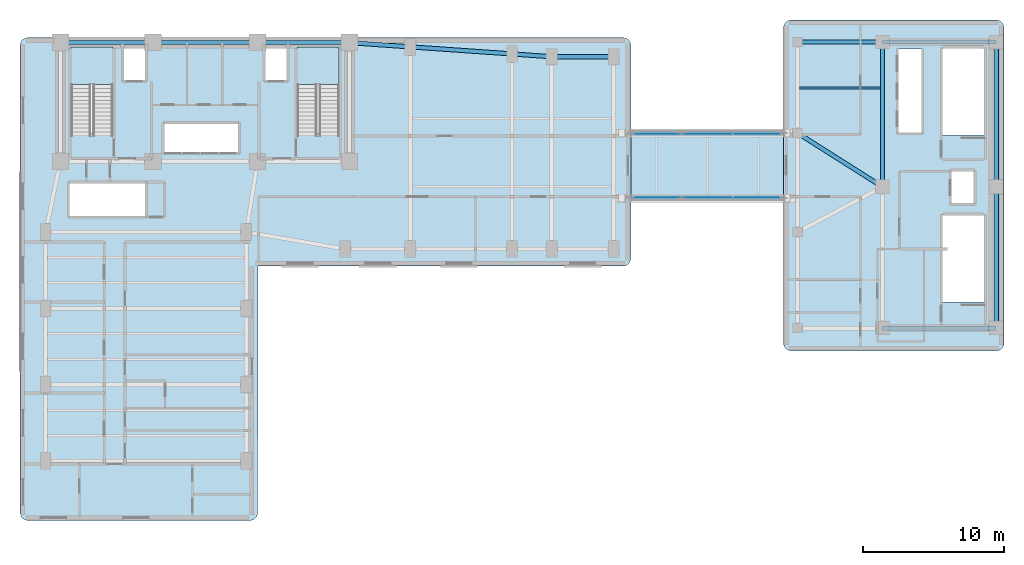
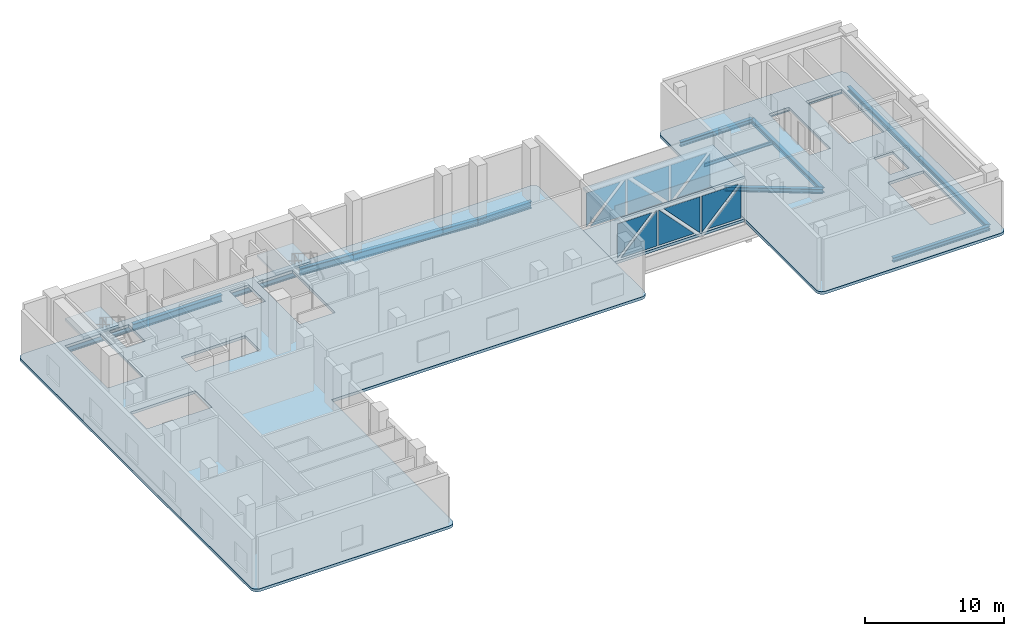
# One storey, part 9 of 17: 15 beams, 12 plates, 6 slabs, 10 elements without a shape of their own.
"""IFC4 building model written with IfcOpenShell, lengths in metres."""

from ifc_helpers import new_model, si_unit, direction, frame, origin, origin_2d, place, context, subcontext, project, spatial, polyline, i_section, outline, extrude, material, layer, layer_set, material_profile, profile_set, type_object, element, aggregate, save


model = new_model("IFC4")

# Units and contexts
model_context = context("Model", 3, precision=1e-05, world=origin(), true_north=direction((0.0, 1.0)))
body_context = subcontext(model_context, "Body", "Model", "MODEL_VIEW")
ifc_project = project(units=[si_unit("LENGTHUNIT", "METRE"), si_unit("AREAUNIT", "SQUARE_METRE"), si_unit("VOLUMEUNIT", "CUBIC_METRE"), si_unit("PLANEANGLEUNIT", "RADIAN"), si_unit("MASSUNIT", "GRAM", prefix="KILO")], contexts=[model_context])

# Site, building, storey
site_placement = place(None, origin())
site = spatial("IfcSite", under=ifc_project, at=site_placement, CompositionType="ELEMENT")
building_placement = place(site_placement, origin())
building = spatial("IfcBuilding", under=site, at=building_placement, Name="Kuzgunbayir Cultural Tower", CompositionType="ELEMENT")
storey_placement = place(building_placement, frame((0.0, 0.0, 102.60009765625)))
storey = spatial("IfcBuildingStorey", under=building, at=storey_placement, Name="L29", CompositionType="ELEMENT", Elevation=102.60009765625)

# Beams
ifc_material_1 = material(Name="Steel S355J2", Category="steel")
ifc_material_profile_1 = material_profile(ifc_material_1, i_section(OverallWidth=0.300048828125, OverallDepth=0.60009765625, WebThickness=0.015380859375, FlangeThickness=0.030029296875, FilletRadius=0.027099609375, at=origin_2d()), Name="HEB 600")
ifc_profile_set_1 = profile_set([ifc_material_profile_1], Name="Steel S355J2")
beam_type_1 = type_object("IfcBeamType", Name="BM-EXT-HEB600", PredefinedType="BEAM", material=ifc_profile_set_1)
beam_1_placement = place(storey_placement, frame((26.89990234375, 42.199951171875, -0.5400390625), z_axis=(0.997574369175, -0.069608749203, 0.0), x_axis=(0.069608749203, 0.997574369175, 0.0)))
element("IfcBeam", 1, at=beam_1_placement, inside=storey, type_object=beam_type_1, Name="L29 Wing B North Girder 1", PredefinedType="BEAM", context=body_context, shape_type="SweptSolid", body=[
    extrude(i_section(OverallWidth=0.300048828125, OverallDepth=0.60009765625, WebThickness=0.015380859375, FlangeThickness=0.030029296875, FilletRadius=0.027099609375, at=origin_2d()), origin(), (0.0, 0.0, 1.0), 4.310546875),
])
beam_2_placement = place(storey_placement, frame((31.199951171875, 41.89990234375, -0.5400390625), z_axis=(0.997597388498, -0.069278066245, 0.0), x_axis=(0.069278066245, 0.997597388498, 0.0)))
element("IfcBeam", 2, at=beam_2_placement, inside=storey, type_object=beam_type_1, Name="L29 Wing B North Girder 2", PredefinedType="BEAM", context=body_context, shape_type="SweptSolid", body=[
    extrude(i_section(OverallWidth=0.300048828125, OverallDepth=0.60009765625, WebThickness=0.015380859375, FlangeThickness=0.030029296875, FilletRadius=0.027099609375, at=origin_2d()), origin(), (0.0, 0.0, 1.0), 7.21728515625),
])
beam_3_placement = place(storey_placement, frame((38.39990234375, 41.39990234375, -0.5400390625), z_axis=(0.997460024076, -0.071228508128, 0.0), x_axis=(0.071228508128, 0.997460024076, 0.0)))
element("IfcBeam", 3, at=beam_3_placement, inside=storey, type_object=beam_type_1, Name="L29 Wing B North Girder 3", PredefinedType="BEAM", context=body_context, shape_type="SweptSolid", body=[
    extrude(i_section(OverallWidth=0.300048828125, OverallDepth=0.60009765625, WebThickness=0.015380859375, FlangeThickness=0.030029296875, FilletRadius=0.027099609375, at=origin_2d()), origin(), (0.0, 0.0, 1.0), 2.80712890625),
])
beam_4_placement = place(storey_placement, frame((41.199951171875, 41.199951171875, -0.5400390625), z_axis=(1.0, 0.0, 0.0), x_axis=(0.0, 1.0, 0.0)))
element("IfcBeam", 4, at=beam_4_placement, inside=storey, type_object=beam_type_1, Name="L29 Wing B North Girder 4", PredefinedType="BEAM", context=body_context, shape_type="SweptSolid", body=[
    extrude(i_section(OverallWidth=0.300048828125, OverallDepth=0.60009765625, WebThickness=0.015380859375, FlangeThickness=0.030029296875, FilletRadius=0.027099609375, at=origin_2d()), origin(), (0.0, 0.0, 1.0), 4.400146484375),
])
ifc_material_profile_2 = material_profile(ifc_material_1, i_section(OverallWidth=0.300048828125, OverallDepth=0.39990234375, WebThickness=0.013427734375, FlangeThickness=0.02392578125, FilletRadius=0.027099609375, at=origin_2d()), Name="HEB 400")
ifc_profile_set_2 = profile_set([ifc_material_profile_2], Name="Steel S355J2")
beam_type_2 = type_object("IfcBeamType", Name="BM-GIR-HEB400", PredefinedType="BEAM", material=ifc_profile_set_2)
beam_5_placement = place(storey_placement, frame((58.60009765625, 35.800048828125, -0.440185546875), z_axis=(0.844815967829, -0.535056988088, 0.0), x_axis=(0.535056988088, 0.844815967829, 0.0)))
element("IfcBeam", 5, at=beam_5_placement, inside=storey, type_object=beam_type_2, Name="L29 Companion Transverse Girder 3", PredefinedType="BEAM", context=body_context, shape_type="SweptSolid", body=[
    extrude(i_section(OverallWidth=0.300048828125, OverallDepth=0.39990234375, WebThickness=0.013427734375, FlangeThickness=0.02392578125, FilletRadius=0.027099609375, at=origin_2d()), origin(), (0.0, 0.0, 1.0), 7.10205078125),
])
beam_6_placement = place(storey_placement, frame((58.60009765625, 42.25, -0.440185546875), z_axis=(1.0, 0.0, 0.0), x_axis=(0.0, 1.0, 0.0)))
element("IfcBeam", 6, at=beam_6_placement, inside=storey, type_object=beam_type_2, Name="L29 Companion Transverse Girder 4", PredefinedType="BEAM", context=body_context, shape_type="SweptSolid", body=[
    extrude(i_section(OverallWidth=0.300048828125, OverallDepth=0.39990234375, WebThickness=0.013427734375, FlangeThickness=0.02392578125, FilletRadius=0.027099609375, at=origin_2d()), origin(), (0.0, 0.0, 1.0), 6.0),
])
beam_7_placement = place(storey_placement, frame((64.60009765625, 32.0, -0.440185546875), z_axis=(0.0, 1.0, 0.0), x_axis=(-1.0, 0.0, 0.0)))
element("IfcBeam", 7, at=beam_7_placement, inside=storey, type_object=beam_type_2, Name="L29 Companion Core West Girder 2", PredefinedType="BEAM", context=body_context, shape_type="SweptSolid", body=[
    extrude(i_section(OverallWidth=0.300048828125, OverallDepth=0.39990234375, WebThickness=0.013427734375, FlangeThickness=0.02392578125, FilletRadius=0.027099609375, at=origin_2d()), origin(), (0.0, 0.0, 1.0), 10.25),
])
beam_8_placement = place(storey_placement, frame((72.64990234375, 22.0, -0.440185546875), z_axis=(0.0, 1.0, 0.0), x_axis=(-1.0, 0.0, 0.0)))
element("IfcBeam", 8, at=beam_8_placement, inside=storey, type_object=beam_type_2, Name="L29 Companion Core East Girder 1", PredefinedType="BEAM", context=body_context, shape_type="SweptSolid", body=[
    extrude(i_section(OverallWidth=0.300048828125, OverallDepth=0.39990234375, WebThickness=0.013427734375, FlangeThickness=0.02392578125, FilletRadius=0.027099609375, at=origin_2d()), origin(), (0.0, 0.0, 1.0), 10.0),
])
beam_9_placement = place(storey_placement, frame((72.64990234375, 32.0, -0.440185546875), z_axis=(0.0, 1.0, 0.0), x_axis=(-1.0, 0.0, 0.0)))
element("IfcBeam", 9, at=beam_9_placement, inside=storey, type_object=beam_type_2, Name="L29 Companion Core East Girder 2", PredefinedType="BEAM", context=body_context, shape_type="SweptSolid", body=[
    extrude(i_section(OverallWidth=0.300048828125, OverallDepth=0.39990234375, WebThickness=0.013427734375, FlangeThickness=0.02392578125, FilletRadius=0.027099609375, at=origin_2d()), origin(), (0.0, 0.0, 1.0), 10.25),
])
for number, where, z_axis, x_axis, name in (
    (10, (64.60009765625, 22.0, -0.440185546875), (1.0, 0.0, 0.0), (0.0, 1.0, 0.0), "L29 Companion Core South Girder"),
    (11, (64.60009765625, 42.25, -0.440185546875), (1.0, 0.0, 0.0), (0.0, 1.0, 0.0), "L29 Companion Core North Girder"),
):
    element("IfcBeam", number, at=place(storey_placement, frame(where, z_axis=z_axis, x_axis=x_axis)), inside=storey, type_object=beam_type_2, Name=name, PredefinedType="BEAM", context=body_context, shape_type="SweptSolid", body=[
        extrude(i_section(OverallWidth=0.300048828125, OverallDepth=0.39990234375, WebThickness=0.013427734375, FlangeThickness=0.02392578125, FilletRadius=0.027099609375, at=origin_2d()), origin(), (0.0, 0.0, 1.0), 8.0498046875),
    ])
ifc_material_profile_3 = material_profile(ifc_material_1, i_section(OverallWidth=0.300048828125, OverallDepth=0.60009765625, WebThickness=0.015380859375, FlangeThickness=0.030029296875, FilletRadius=0.027099609375, at=origin_2d()), Name="HEB 600")
ifc_profile_set_3 = profile_set([ifc_material_profile_3], Name="Steel S355J2")
beam_type_3 = type_object("IfcBeamType", Name="BM-GIR-HEB600", PredefinedType="BEAM", material=ifc_profile_set_3)
beam_10_placement = place(storey_placement, frame((6.449951171875, 42.199951171875, -0.5400390625), z_axis=(1.0, 0.0, 0.0), x_axis=(0.0, 1.0, 0.0)))
element("IfcBeam", 12, at=beam_10_placement, inside=storey, type_object=beam_type_3, Name="L29 Core North Girder 1", PredefinedType="BEAM", context=body_context, shape_type="SweptSolid", body=[
    extrude(i_section(OverallWidth=0.300048828125, OverallDepth=0.60009765625, WebThickness=0.015380859375, FlangeThickness=0.030029296875, FilletRadius=0.027099609375, at=origin_2d()), origin(), (0.0, 0.0, 1.0), 6.550048828125),
])
beam_11_placement = place(storey_placement, frame((13.0, 42.199951171875, -0.5400390625), z_axis=(1.0, 0.0, 0.0), x_axis=(0.0, 1.0, 0.0)))
element("IfcBeam", 13, at=beam_11_placement, inside=storey, type_object=beam_type_3, Name="L29 Core North Girder 2", PredefinedType="BEAM", context=body_context, shape_type="SweptSolid", body=[
    extrude(i_section(OverallWidth=0.300048828125, OverallDepth=0.60009765625, WebThickness=0.015380859375, FlangeThickness=0.030029296875, FilletRadius=0.027099609375, at=origin_2d()), origin(), (0.0, 0.0, 1.0), 7.39990234375),
])
beam_12_placement = place(storey_placement, frame((20.39990234375, 42.199951171875, -0.5400390625), z_axis=(1.0, 0.0, 0.0), x_axis=(0.0, 1.0, 0.0)))
element("IfcBeam", 14, at=beam_12_placement, inside=storey, type_object=beam_type_3, Name="L29 Core North Girder 3", PredefinedType="BEAM", context=body_context, shape_type="SweptSolid", body=[
    extrude(i_section(OverallWidth=0.300048828125, OverallDepth=0.60009765625, WebThickness=0.015380859375, FlangeThickness=0.030029296875, FilletRadius=0.027099609375, at=origin_2d()), origin(), (0.0, 0.0, 1.0), 6.5),
])
ifc_material_profile_4 = material_profile(ifc_material_1, i_section(OverallWidth=0.14990234375, OverallDepth=0.300048828125, WebThickness=0.007080078125, FlangeThickness=0.0107421875, FilletRadius=0.014892578125, at=origin_2d()), Name="IPE 300")
ifc_profile_set_4 = profile_set([ifc_material_profile_4], Name="Steel S355J2")
beam_type_4 = type_object("IfcBeamType", Name="BM-JST-IPE300", PredefinedType="JOIST", material=ifc_profile_set_4)
beam_13_placement = place(storey_placement, frame((58.75, 39.0, -0.39013671875), z_axis=(1.0, 0.0, 0.0), x_axis=(0.0, 1.0, 0.0)))
element("IfcBeam", 15, at=beam_13_placement, inside=storey, type_object=beam_type_4, Name="L29 Companion Joist", PredefinedType="JOIST", context=body_context, shape_type="SweptSolid", body=[
    extrude(i_section(OverallWidth=0.14990234375, OverallDepth=0.300048828125, WebThickness=0.007080078125, FlangeThickness=0.0107421875, FilletRadius=0.014892578125, at=origin_2d()), origin(), (0.0, 0.0, 1.0), 5.699951171875),
])

# Curtain wall, plate
ifc_material_2 = material(Name="Anodised Aluminium Framing", Category="aluminium")
curtain_wall_type = type_object("IfcCurtainWallType", Name="CW05-SKYBRIDGE", PredefinedType="NOTDEFINED", material=ifc_material_2)
curtain_wall_1_placement = place(storey_placement, origin())
curtain_wall_1 = element("IfcCurtainWall", 16, at=curtain_wall_1_placement, inside=storey, type_object=curtain_wall_type, Name="L29 Skybridge South Curtain Wall Run 1 Fitted Between Truss Members", PredefinedType="NOTDEFINED")
ifc_material_3 = material(Name="Solar-Control Triple Glazing", Category="glass")
ifc_layer_1 = layer(ifc_material_3, 0.035888671875)
ifc_layer_set_1 = layer_set([ifc_layer_1], Name="Solar-Control Triple Glazing")
plate_type = type_object("IfcPlateType", Name="PLT-CW-GLASS-36", PredefinedType="CURTAIN_PANEL", material=ifc_layer_set_1)
plate_1_placement = place(storey_placement, frame((47.050048828125, 31.27294921875, 0.225830078125), z_axis=(0.0, 1.0, 0.0), x_axis=(0.0, 0.0, 1.0)))
plate_1 = element("IfcPlate", 17, at=plate_1_placement, type_object=plate_type, Name="CW05 pane 1.1", PredefinedType="CURTAIN_PANEL", context=body_context, shape_type="SweptSolid", body=[
    extrude(outline(polyline([(0.0, 0.0), (2.9990234375, 0.0), (2.9990234375, 2.848876953125), (0.0, 0.0)])), origin(), (0.0, 0.0, -1.0), 0.035888671875),
])
aggregate(curtain_wall_1, [plate_1])

# Curtain wall, plates
curtain_wall_2_placement = place(storey_placement, origin())
curtain_wall_2 = element("IfcCurtainWall", 18, at=curtain_wall_2_placement, inside=storey, type_object=curtain_wall_type, Name="L29 Skybridge South Curtain Wall Run 2 Fitted Between Truss Members", PredefinedType="NOTDEFINED")
plate_2_placement = place(storey_placement, frame((47.363037109375, 31.27294921875, 0.14990234375), z_axis=(0.0, 1.0, 0.0), x_axis=(1.0, 0.0, 0.0)))
plate_2 = element("IfcPlate", 19, at=plate_2_placement, type_object=plate_type, Name="CW05 pane 2.1", PredefinedType="CURTAIN_PANEL", context=body_context, shape_type="SweptSolid", body=[
    extrude(outline(polyline([(0.0, 0.0), (2.9619140625, 0.0), (2.9619140625, -3.117919921875), (0.0, 0.0)])), origin(), (0.0, 0.0, -1.0), 0.035888671875),
])
plate_3_placement = place(storey_placement, frame((50.47509765625, 31.27294921875, 0.14990234375), z_axis=(0.0, 1.0, 0.0), x_axis=(1.0, 0.0, 0.0)))
plate_3 = element("IfcPlate", 20, at=plate_3_placement, type_object=plate_type, Name="CW05 pane 2.2", PredefinedType="CURTAIN_PANEL", context=body_context, shape_type="SweptSolid", body=[
    extrude(outline(polyline([(0.0, 0.0), (2.9619140625, 0.0), (0.0, -3.117919921875), (0.0, 0.0)])), origin(), (0.0, 0.0, -1.0), 0.035888671875),
])
aggregate(curtain_wall_2, [plate_2, plate_3])

curtain_wall_3_placement = place(storey_placement, origin())
curtain_wall_3 = element("IfcCurtainWall", 21, at=curtain_wall_3_placement, inside=storey, type_object=curtain_wall_type, Name="L29 Skybridge South Curtain Wall Run 3 Fitted Between Truss Members", PredefinedType="NOTDEFINED")
plate_4_placement = place(storey_placement, frame((50.90087890625, 31.27294921875, 3.224853515625), z_axis=(0.0, 1.0, 0.0), x_axis=(1.0, 0.0, 0.0)))
plate_4 = element("IfcPlate", 22, at=plate_4_placement, type_object=plate_type, Name="CW05 pane 3.1", PredefinedType="CURTAIN_PANEL", context=body_context, shape_type="SweptSolid", body=[
    extrude(outline(polyline([(0.0, 0.0), (3.024169921875, 0.0), (3.024169921875, 3.182861328125), (0.0, 0.0)])), origin(), (0.0, 0.0, -1.0), 0.035888671875),
])
plate_5_placement = place(storey_placement, frame((54.074951171875, 31.27294921875, 3.224853515625), z_axis=(0.0, 1.0, 0.0), x_axis=(1.0, 0.0, 0.0)))
plate_5 = element("IfcPlate", 23, at=plate_5_placement, type_object=plate_type, Name="CW05 pane 3.2", PredefinedType="CURTAIN_PANEL", context=body_context, shape_type="SweptSolid", body=[
    extrude(outline(polyline([(0.0, 0.0), (3.024169921875, 0.0), (0.0, 3.182861328125), (0.0, 0.0)])), origin(), (0.0, 0.0, -1.0), 0.035888671875),
])
aggregate(curtain_wall_3, [plate_4, plate_5])

# Curtain wall, plate
curtain_wall_4_placement = place(storey_placement, origin())
curtain_wall_4 = element("IfcCurtainWall", 24, at=curtain_wall_4_placement, inside=storey, type_object=curtain_wall_type, Name="L29 Skybridge South Curtain Wall Run 4 Fitted Between Truss Members", PredefinedType="NOTDEFINED")
plate_6_placement = place(storey_placement, frame((54.56298828125, 31.27294921875, 0.14990234375), z_axis=(0.0, 1.0, 0.0), x_axis=(1.0, 0.0, 0.0)))
plate_6 = element("IfcPlate", 25, at=plate_6_placement, type_object=plate_type, Name="CW05 pane 4.1", PredefinedType="CURTAIN_PANEL", context=body_context, shape_type="SweptSolid", body=[
    extrude(outline(polyline([(0.0, 0.0), (2.787109375, 0.0), (2.787109375, -2.93408203125), (0.0, 0.0)])), origin(), (0.0, 0.0, -1.0), 0.035888671875),
])
aggregate(curtain_wall_4, [plate_6])

curtain_wall_5_placement = place(storey_placement, origin())
curtain_wall_5 = element("IfcCurtainWall", 26, at=curtain_wall_5_placement, inside=storey, type_object=curtain_wall_type, Name="L29 Skybridge North Curtain Wall Run 1 Fitted Between Truss Members", PredefinedType="NOTDEFINED")
plate_7_placement = place(storey_placement, frame((47.050048828125, 35.76318359375, 0.225830078125), z_axis=(0.0, 1.0, 0.0), x_axis=(0.0, 0.0, 1.0)))
plate_7 = element("IfcPlate", 27, at=plate_7_placement, type_object=plate_type, Name="CW05 pane 1.1", PredefinedType="CURTAIN_PANEL", context=body_context, shape_type="SweptSolid", body=[
    extrude(outline(polyline([(0.0, 0.0), (2.9990234375, 0.0), (2.9990234375, 2.848876953125), (0.0, 0.0)])), origin(), (0.0, 0.0, -1.0), 0.035888671875),
])
aggregate(curtain_wall_5, [plate_7])

# Curtain wall, plates
curtain_wall_6_placement = place(storey_placement, origin())
curtain_wall_6 = element("IfcCurtainWall", 28, at=curtain_wall_6_placement, inside=storey, type_object=curtain_wall_type, Name="L29 Skybridge North Curtain Wall Run 2 Fitted Between Truss Members", PredefinedType="NOTDEFINED")
plate_8_placement = place(storey_placement, frame((47.363037109375, 35.76318359375, 0.14990234375), z_axis=(0.0, 1.0, 0.0), x_axis=(1.0, 0.0, 0.0)))
plate_8 = element("IfcPlate", 29, at=plate_8_placement, type_object=plate_type, Name="CW05 pane 2.1", PredefinedType="CURTAIN_PANEL", context=body_context, shape_type="SweptSolid", body=[
    extrude(outline(polyline([(0.0, 0.0), (2.9619140625, 0.0), (2.9619140625, -3.117919921875), (0.0, 0.0)])), origin(), (0.0, 0.0, -1.0), 0.035888671875),
])
plate_9_placement = place(storey_placement, frame((50.47509765625, 35.76318359375, 0.14990234375), z_axis=(0.0, 1.0, 0.0), x_axis=(1.0, 0.0, 0.0)))
plate_9 = element("IfcPlate", 30, at=plate_9_placement, type_object=plate_type, Name="CW05 pane 2.2", PredefinedType="CURTAIN_PANEL", context=body_context, shape_type="SweptSolid", body=[
    extrude(outline(polyline([(0.0, 0.0), (2.9619140625, 0.0), (0.0, -3.117919921875), (0.0, 0.0)])), origin(), (0.0, 0.0, -1.0), 0.035888671875),
])
aggregate(curtain_wall_6, [plate_8, plate_9])

curtain_wall_7_placement = place(storey_placement, origin())
curtain_wall_7 = element("IfcCurtainWall", 31, at=curtain_wall_7_placement, inside=storey, type_object=curtain_wall_type, Name="L29 Skybridge North Curtain Wall Run 3 Fitted Between Truss Members", PredefinedType="NOTDEFINED")
plate_10_placement = place(storey_placement, frame((50.90087890625, 35.76318359375, 3.224853515625), z_axis=(0.0, 1.0, 0.0), x_axis=(1.0, 0.0, 0.0)))
plate_10 = element("IfcPlate", 32, at=plate_10_placement, type_object=plate_type, Name="CW05 pane 3.1", PredefinedType="CURTAIN_PANEL", context=body_context, shape_type="SweptSolid", body=[
    extrude(outline(polyline([(0.0, 0.0), (3.024169921875, 0.0), (3.024169921875, 3.182861328125), (0.0, 0.0)])), origin(), (0.0, 0.0, -1.0), 0.035888671875),
])
plate_11_placement = place(storey_placement, frame((54.074951171875, 35.76318359375, 3.224853515625), z_axis=(0.0, 1.0, 0.0), x_axis=(1.0, 0.0, 0.0)))
plate_11 = element("IfcPlate", 33, at=plate_11_placement, type_object=plate_type, Name="CW05 pane 3.2", PredefinedType="CURTAIN_PANEL", context=body_context, shape_type="SweptSolid", body=[
    extrude(outline(polyline([(0.0, 0.0), (3.024169921875, 0.0), (0.0, 3.182861328125), (0.0, 0.0)])), origin(), (0.0, 0.0, -1.0), 0.035888671875),
])
aggregate(curtain_wall_7, [plate_10, plate_11])

# Curtain wall, plate
curtain_wall_8_placement = place(storey_placement, origin())
curtain_wall_8 = element("IfcCurtainWall", 34, at=curtain_wall_8_placement, inside=storey, type_object=curtain_wall_type, Name="L29 Skybridge North Curtain Wall Run 4 Fitted Between Truss Members", PredefinedType="NOTDEFINED")
plate_12_placement = place(storey_placement, frame((54.56298828125, 35.76318359375, 0.14990234375), z_axis=(0.0, 1.0, 0.0), x_axis=(1.0, 0.0, 0.0)))
plate_12 = element("IfcPlate", 35, at=plate_12_placement, type_object=plate_type, Name="CW05 pane 4.1", PredefinedType="CURTAIN_PANEL", context=body_context, shape_type="SweptSolid", body=[
    extrude(outline(polyline([(0.0, 0.0), (2.787109375, 0.0), (2.787109375, -2.93408203125), (0.0, 0.0)])), origin(), (0.0, 0.0, -1.0), 0.035888671875),
])
aggregate(curtain_wall_8, [plate_12])

# Stair, slab
ifc_material_4 = material(Name="Concrete C40/50", Category="concrete")
stair_type = type_object("IfcStairType", Name="STR-EXIT-CORE", PredefinedType="HALF_TURN_STAIR", material=ifc_material_4)
stair_1_placement = place(storey_placement, origin())
stair_1 = element("IfcStair", 36, at=stair_1_placement, inside=storey, type_object=stair_type, Name="L29 ST-1", PredefinedType="HALF_TURN_STAIR")
ifc_layer_2 = layer(ifc_material_4, 0.179931640625)
ifc_layer_set_2 = layer_set([ifc_layer_2], Name="Concrete C40/50")
slab_type_1 = type_object("IfcSlabType", Name="SLB-LANDING-180", PredefinedType="LANDING", material=ifc_layer_set_2)
slab_1_placement = place(storey_placement, frame((0.0, 0.0, 2.199951171875)))
slab_1 = element("IfcSlab", 37, at=slab_1_placement, type_object=slab_type_1, Name="ST-1 landing 1", PredefinedType="LANDING", context=body_context, shape_type="SweptSolid", body=[
    extrude(outline(polyline([(10.159912109375, 39.239990234375), (10.159912109375, 41.89990234375), (7.199951171875, 41.89990234375), (7.199951171875, 39.239990234375), (10.159912109375, 39.239990234375)])), origin(), (0.0, 0.0, 1.0), 0.199951171875),
])
aggregate(stair_1, [slab_1])

stair_2_placement = place(storey_placement, origin())
stair_2 = element("IfcStair", 38, at=stair_2_placement, inside=storey, type_object=stair_type, Name="L29 ST-2", PredefinedType="HALF_TURN_STAIR")
slab_2_placement = place(storey_placement, frame((0.0, 0.0, 2.199951171875)))
slab_2 = element("IfcSlab", 39, at=slab_2_placement, type_object=slab_type_1, Name="ST-2 landing 1", PredefinedType="LANDING", context=body_context, shape_type="SweptSolid", body=[
    extrude(outline(polyline([(26.159912109375, 39.239990234375), (26.159912109375, 41.89990234375), (23.199951171875, 41.89990234375), (23.199951171875, 39.239990234375), (26.159912109375, 39.239990234375)])), origin(), (0.0, 0.0, 1.0), 0.199951171875),
])
aggregate(stair_2, [slab_2])

# Slabs
ifc_layer_3 = layer(ifc_material_4, 0.219970703125)
ifc_layer_set_3 = layer_set([ifc_layer_3], Name="Concrete C40/50")
slab_type_2 = type_object("IfcSlabType", Name="SLB-ROOF-COMP-220", PredefinedType="ROOF", material=ifc_layer_set_3)
slab_3_placement = place(storey_placement, frame((0.0, 0.0, 3.5498046875)))
element("IfcSlab", 40, at=slab_3_placement, inside=storey, type_object=slab_type_2, Name="L29 Skybridge Roof Deck", PredefinedType="ROOF", context=body_context, shape_type="SweptSolid", body=[
    extrude(outline(polyline([(46.800048828125, 31.199951171875), (57.60009765625, 31.199951171875), (57.60009765625, 35.800048828125), (46.800048828125, 35.800048828125), (46.800048828125, 31.199951171875)])), origin(), (0.0, 0.0, 1.0), 0.22021484375),
])
ifc_layer_4 = layer(ifc_material_4, 0.239990234375)
ifc_layer_set_4 = layer_set([ifc_layer_4], Name="Concrete C40/50")
slab_type_3 = type_object("IfcSlabType", Name="SLB-SKYBRIDGE-240", PredefinedType="FLOOR", material=ifc_layer_set_4)
slab_4_placement = place(storey_placement, frame((0.0, 0.0, -0.239990234375)))
element("IfcSlab", 41, at=slab_4_placement, inside=storey, type_object=slab_type_3, Name="L29 Inter-Tower Sliding Glass Skybridge Deck", PredefinedType="FLOOR", context=body_context, shape_type="SweptSolid", body=[
    extrude(outline(polyline([(46.800048828125, 31.199951171875), (57.60009765625, 31.199951171875), (57.60009765625, 35.800048828125), (46.800048828125, 35.800048828125), (46.800048828125, 31.199951171875)])), origin(), (0.0, 0.0, 1.0), 0.239990234375),
])
ifc_layer_5 = layer(ifc_material_4, 0.239990234375)
ifc_layer_set_5 = layer_set([ifc_layer_5], Name="Concrete C40/50")
slab_type_4 = type_object("IfcSlabType", Name="SLB-TRN-240", PredefinedType="FLOOR", material=ifc_layer_set_5)
slab_5_placement = place(storey_placement, frame((0.0, 0.0, -0.239990234375)))
element("IfcSlab", 42, at=slab_5_placement, inside=storey, type_object=slab_type_4, Name="L29 Tower 1 Floor Slab T1-MAIN", PredefinedType="FLOOR", context=body_context, shape_type="SweptSolid", body=[
    extrude(outline(polyline([(20.39990234375, 8.949951171875), (20.389892578125, 8.840087890625), (20.360107421875, 8.739990234375), (20.31005859375, 8.639892578125), (20.239990234375, 8.56005859375), (20.159912109375, 8.489990234375), (20.06005859375, 8.43994140625), (19.9599609375, 8.409912109375), (19.85009765625, 8.39990234375), (4.14990234375, 8.39990234375), (4.0400390625, 8.409912109375), (3.93994140625, 8.43994140625), (3.840087890625, 8.489990234375), (3.760009765625, 8.56005859375), (3.68994140625, 8.639892578125), (3.639892578125, 8.739990234375), (3.610107421875, 8.840087890625), (3.60009765625, 8.949951171875), (3.60009765625, 42.0), (3.610107421875, 42.110107421875), (3.639892578125, 42.2099609375), (3.68994140625, 42.31005859375), (3.760009765625, 42.389892578125), (3.840087890625, 42.4599609375), (3.93994140625, 42.510009765625), (4.0400390625, 42.5400390625), (4.14990234375, 42.550048828125), (46.25, 42.550048828125), (46.360107421875, 42.5400390625), (46.4599609375, 42.510009765625), (46.56005859375, 42.4599609375), (46.639892578125, 42.389892578125), (46.7099609375, 42.31005859375), (46.760009765625, 42.2099609375), (46.7900390625, 42.110107421875), (46.800048828125, 42.0), (46.800048828125, 26.949951171875), (46.7900390625, 26.840087890625), (46.760009765625, 26.739990234375), (46.7099609375, 26.639892578125), (46.639892578125, 26.56005859375), (46.56005859375, 26.489990234375), (46.4599609375, 26.43994140625), (46.360107421875, 26.409912109375), (46.25, 26.39990234375), (20.429931640625, 26.39990234375), (20.39990234375, 8.949951171875)]), holes=[polyline([(7.199951171875, 35.760009765625), (7.199951171875, 41.89990234375), (10.159912109375, 41.89990234375), (10.159912109375, 35.760009765625), (7.199951171875, 35.760009765625)]), polyline([(23.199951171875, 35.760009765625), (23.199951171875, 41.89990234375), (26.159912109375, 41.89990234375), (26.159912109375, 35.760009765625), (23.199951171875, 35.760009765625)]), polyline([(13.75, 34.39990234375), (13.75, 36.5), (19.080078125, 36.5), (19.080078125, 34.39990234375), (13.75, 34.39990234375)]), polyline([(7.10009765625, 29.89990234375), (7.10009765625, 32.300048828125), (12.5, 32.300048828125), (12.5, 29.89990234375), (7.10009765625, 29.89990234375)]), polyline([(10.89990234375, 39.5), (10.89990234375, 41.89990234375), (12.5, 41.89990234375), (12.5, 39.5), (10.89990234375, 39.5)]), polyline([(20.89990234375, 39.5), (20.89990234375, 41.89990234375), (22.5, 41.89990234375), (22.5, 39.5), (20.89990234375, 39.5)])]), origin(), (0.0, 0.0, 1.0), 0.239990234375),
])
slab_6_placement = place(storey_placement, frame((0.0, 0.0, -0.239990234375)))
element("IfcSlab", 43, at=slab_6_placement, inside=storey, type_object=slab_type_4, Name="L29 Companion Tower 2 Floor Slab", PredefinedType="FLOOR", context=body_context, shape_type="SweptSolid", body=[
    extrude(outline(polyline([(72.64990234375, 20.39990234375), (72.760009765625, 20.409912109375), (72.860107421875, 20.43994140625), (72.9599609375, 20.489990234375), (73.0400390625, 20.56005859375), (73.110107421875, 20.639892578125), (73.159912109375, 20.739990234375), (73.18994140625, 20.840087890625), (73.199951171875, 20.949951171875), (73.199951171875, 43.25), (73.18994140625, 43.360107421875), (73.159912109375, 43.4599609375), (73.110107421875, 43.56005859375), (73.0400390625, 43.639892578125), (72.9599609375, 43.7099609375), (72.860107421875, 43.760009765625), (72.760009765625, 43.7900390625), (72.64990234375, 43.800048828125), (58.14990234375, 43.800048828125), (58.0400390625, 43.7900390625), (57.93994140625, 43.760009765625), (57.840087890625, 43.7099609375), (57.760009765625, 43.639892578125), (57.68994140625, 43.56005859375), (57.639892578125, 43.4599609375), (57.610107421875, 43.360107421875), (57.60009765625, 43.25), (57.60009765625, 20.949951171875), (57.610107421875, 20.840087890625), (57.639892578125, 20.739990234375), (57.68994140625, 20.639892578125), (57.760009765625, 20.56005859375), (57.840087890625, 20.489990234375), (57.93994140625, 20.43994140625), (58.0400390625, 20.409912109375), (58.14990234375, 20.39990234375), (72.64990234375, 20.39990234375)]), holes=[polyline([(68.840087890625, 23.860107421875), (68.840087890625, 30.0), (71.800048828125, 30.0), (71.800048828125, 23.860107421875), (68.840087890625, 23.860107421875)]), polyline([(68.840087890625, 35.659912109375), (68.840087890625, 41.800048828125), (71.800048828125, 41.800048828125), (71.800048828125, 35.659912109375), (68.840087890625, 35.659912109375)]), polyline([(65.699951171875, 35.800048828125), (65.699951171875, 41.75), (67.39990234375, 41.75), (67.39990234375, 35.800048828125), (65.699951171875, 35.800048828125)]), polyline([(69.5, 30.800048828125), (69.5, 33.199951171875), (71.10009765625, 33.199951171875), (71.10009765625, 30.800048828125), (69.5, 30.800048828125)])]), origin(), (0.0, 0.0, 1.0), 0.239990234375),
])

save(model, "model.ifc")
